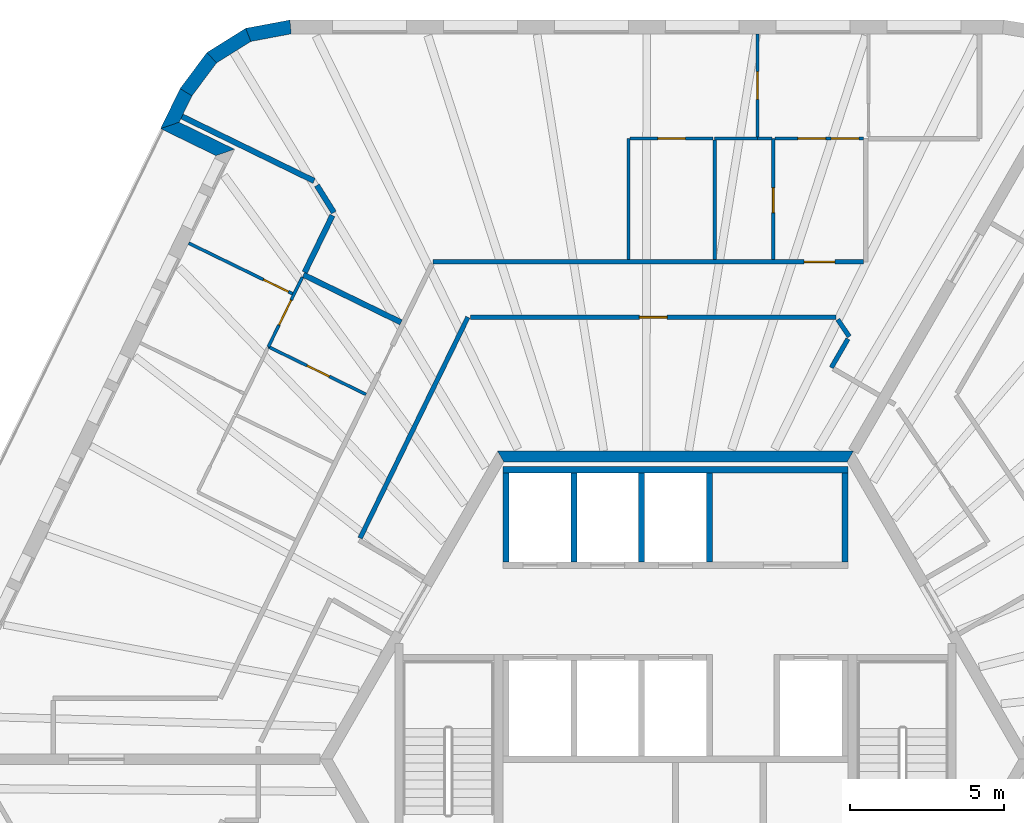
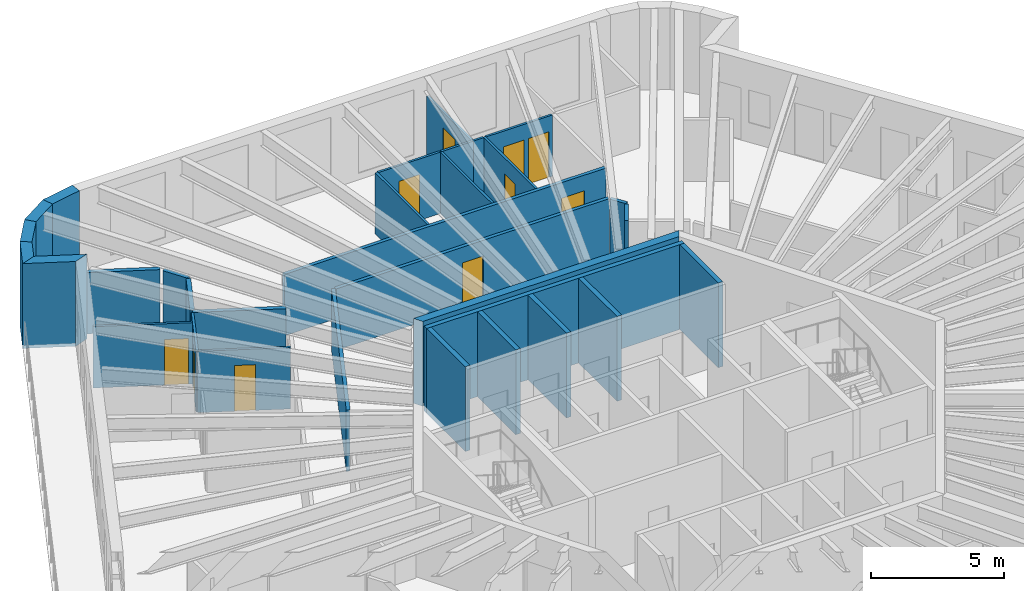
# One storey, part 8 of 11: 32 walls, 10 doors, 10 openings.
"""IFC4 building model written with IfcOpenShell, lengths in metres."""

import ifcopenshell
import ifcopenshell.guid

model = None  # the IFC model being written
_history = None  # IfcOwnerHistory: only IFC2X3 demands one
_inside = {}  # id of a spatial element -> (the spatial element, [elements in it])
_under = {}  # id of a project, library or spatial element -> (it, [spatial elements below it])
_declared = {}  # id of a project -> (the project, [libraries it declares])
_typed = {}  # id of a type object -> (the type object, [elements of that type])
_made_of = {}  # id of a material, layer set ... -> (it, [elements and type objects made of it])


def new_model(schema):
    """Start an empty IFC model of exactly this schema.

    Asked for "IFC4X3", IfcOpenShell would pick the latest addendum, in which some entities
    have other attributes; the version numbers below select the first issue.
    IFC2X3 requires an IfcOwnerHistory on every rooted entity: one is made here for all.
    """
    global model, _history
    if schema == "IFC4X3":
        model = ifcopenshell.file(schema_version=(4, 3, 0, 0))
    else:
        model = ifcopenshell.file(schema=schema)
    _inside.clear()
    _under.clear()
    _declared.clear()
    _typed.clear()
    _made_of.clear()
    _history = None
    if model.schema == "IFC2X3":
        org = make("IfcOrganization", Name="unknown")
        user = make(
            "IfcPersonAndOrganization",
            ThePerson=make("IfcPerson", FamilyName="unknown"),
            TheOrganization=org,
        )
        app = make(
            "IfcApplication",
            ApplicationDeveloper=org,
            Version="unknown",
            ApplicationFullName="unknown",
            ApplicationIdentifier="unknown",
        )
        _history = make(
            "IfcOwnerHistory",
            OwningUser=user,
            OwningApplication=app,
            ChangeAction="ADDED",
            CreationDate=0,
        )
    return model


def make(cls, **values):
    """One entity of the class cls with the attributes given. An attribute that is None is left unset."""
    return model.create_entity(
        cls, **{name: value for name, value in values.items() if value is not None}
    )


def rooted(cls, **values):
    """An entity with a GlobalId (a new one), such as an element, a storey or a relation."""
    return make(cls, GlobalId=ifcopenshell.guid.new(), OwnerHistory=_history, **values)


def si_unit(unit_type, name, prefix=None):
    """IfcSIUnit, for example si_unit("LENGTHUNIT", "METRE", prefix="MILLI")."""
    return make("IfcSIUnit", UnitType=unit_type, Prefix=prefix, Name=name)


def assignment(units):
    """IfcUnitAssignment: the units of a project."""
    return None if units is None else make("IfcUnitAssignment", Units=units)


def point(xyz):
    """IfcCartesianPoint."""
    return None if xyz is None else make("IfcCartesianPoint", Coordinates=xyz)


def direction(xyz):
    """IfcDirection."""
    return None if xyz is None else make("IfcDirection", DirectionRatios=xyz)


def frame(location, z_axis=None, x_axis=None):
    """IfcAxis2Placement3D, a coordinate frame: its origin and axes. An axis left out is left unset."""
    return make(
        "IfcAxis2Placement3D",
        Location=point(location),
        Axis=direction(z_axis),
        RefDirection=direction(x_axis),
    )


def frame_2d(location, x_axis=None):
    """IfcAxis2Placement2D, a coordinate frame in the plane: its origin and x axis."""
    return make(
        "IfcAxis2Placement2D", Location=point(location), RefDirection=direction(x_axis)
    )


def origin():
    """The frame at (0, 0, 0) with its axes left unset."""
    return frame((0.0, 0.0, 0.0))


def place(relative_to, where):
    """IfcLocalPlacement: puts the frame where relative to a parent placement (None: the world)."""
    return make(
        "IfcLocalPlacement", PlacementRelTo=relative_to, RelativePlacement=where
    )


def context(
    kind, dimensions, precision=None, world=None, true_north=None, identifier=None
):
    """IfcGeometricRepresentationContext, for example the 3D "Model" context."""
    return make(
        "IfcGeometricRepresentationContext",
        ContextIdentifier=identifier,
        ContextType=kind,
        CoordinateSpaceDimension=dimensions,
        Precision=precision,
        WorldCoordinateSystem=world,
        TrueNorth=true_north,
    )


def subcontext(parent, identifier, kind, view, scale=None):
    """IfcGeometricRepresentationSubContext, for example "Body" below "Model"."""
    return make(
        "IfcGeometricRepresentationSubContext",
        ContextIdentifier=identifier,
        ContextType=kind,
        ParentContext=parent,
        TargetScale=scale,
        TargetView=view,
    )


def project(units=None, contexts=None):
    """IfcProject with its units and contexts."""
    return rooted(
        "IfcProject",
        Name="project",
        RepresentationContexts=contexts,
        UnitsInContext=assignment(units),
    )


def spatial(cls, under=None, at=None, **own):
    """A site, building, storey or space (cls), placed at a placement, below another one or the project."""
    s = rooted(cls, ObjectPlacement=at, **own)
    if under is not None:
        _under.setdefault(under.id(), (under, []))[1].append(s)
    return s


def polyline(points):
    """IfcPolyline through the points."""
    return make("IfcPolyline", Points=[point(p) for p in points])


def profile(cls, at=None, kind="AREA", **sizes):
    """A parametric profile (cls). Its sizes go by their IFC names, for example OverallWidth=200.0."""
    return make(cls, ProfileType=kind, Position=at, **sizes)


def rectangle(**sizes):
    """IfcRectangleProfileDef."""
    return profile("IfcRectangleProfileDef", **sizes)


def outline(outer, holes=None, kind="AREA"):
    """IfcArbitraryClosedProfileDef: a profile drawn as a closed curve; with holes, ...WithVoids."""
    if holes is None:
        return make("IfcArbitraryClosedProfileDef", ProfileType=kind, OuterCurve=outer)
    return make(
        "IfcArbitraryProfileDefWithVoids",
        ProfileType=kind,
        OuterCurve=outer,
        InnerCurves=holes,
    )


def extrude(swept, where, along, depth):
    """IfcExtrudedAreaSolid: the profile swept, set in the frame where, extruded along a direction by depth."""
    return make(
        "IfcExtrudedAreaSolid",
        SweptArea=swept,
        Position=where,
        ExtrudedDirection=direction(along),
        Depth=depth,
    )


def shape(context_of_items, identifier, shape_type, items):
    """IfcShapeRepresentation: the items that make up one representation, for example the "Body"."""
    return make(
        "IfcShapeRepresentation",
        ContextOfItems=context_of_items,
        RepresentationIdentifier=identifier,
        RepresentationType=shape_type,
        Items=items,
    )


def material(Name=None, Category=None):
    """IfcMaterial."""
    return make("IfcMaterial", Name=Name, Category=Category)


def layer(
    of_material, thickness, ventilated=None, Name=None, Category=None, Priority=None
):
    """IfcMaterialLayer: one layer of a wall or slab, of a material (None: an air gap)."""
    return make(
        "IfcMaterialLayer",
        Material=of_material,
        LayerThickness=thickness,
        IsVentilated=ventilated,
        Name=Name,
        Category=Category,
        Priority=Priority,
    )


def layer_set(layers, Name=None):
    """IfcMaterialLayerSet."""
    return make("IfcMaterialLayerSet", MaterialLayers=layers, LayerSetName=Name)


def made_of(thing, what):
    """Note that an element or type object is made of a material, layer set ...; save() writes the relation."""
    if what is not None:
        _made_of.setdefault(what.id(), (what, []))[1].append(thing)
    return thing


def type_object(cls, material=None, **own):
    """A type object (cls), such as IfcWallType, which elements share."""
    return made_of(rooted(cls, **own), material)


def element(
    cls,
    number,
    at=None,
    inside=None,
    cuts=None,
    type_object=None,
    material=None,
    context=None,
    identifier="Body",
    shape_type=None,
    held_by="IfcProductDefinitionShape",
    body=None,
    shapes=None,
    **own,
):
    """One element of the class cls, such as IfcWall. Its Tag is "e" and its number.

    at: its placement. inside: the storey or other place that contains it. cuts: it is an
    opening in that element (IfcRelVoidsElement). A single representation is given by context,
    identifier, shape_type and body (its items); several are given by shapes. held_by: the class
    of the entity that holds the representations. save() writes the other relations.
    """
    e = rooted(cls, Tag="e%d" % number, ObjectPlacement=at, **own)
    if body is not None:
        shapes = [shape(context, identifier, shape_type, body)]
    if shapes is not None:
        e.Representation = make(held_by, Representations=shapes)
    if inside is not None:
        _inside.setdefault(inside.id(), (inside, []))[1].append(e)
    if cuts is not None:
        rooted(
            "IfcRelVoidsElement", RelatingBuildingElement=cuts, RelatedOpeningElement=e
        )
    if type_object is not None:
        _typed.setdefault(type_object.id(), (type_object, []))[1].append(e)
    return made_of(e, material)


def fill(opening, filler):
    """IfcRelFillsElement: the door or window that sits in an opening."""
    return rooted(
        "IfcRelFillsElement",
        RelatingOpeningElement=opening,
        RelatedBuildingElement=filler,
    )


def aggregate(whole, parts):
    """IfcRelAggregates: a whole, such as a stair, and the parts it consists of."""
    return rooted("IfcRelAggregates", RelatingObject=whole, RelatedObjects=parts)


def save(model, path):
    """Write the relations noted so far, then the file.

    IfcRelAggregates (storeys below a building ...), IfcRelContainedInSpatialStructure (elements
    in a storey), IfcRelDefinesByType, IfcRelAssociatesMaterial and IfcRelDeclares: one each for
    every whole, place, type object, material and project.
    """
    for whole, parts in _under.values():
        aggregate(whole, parts)
    for where, things in _inside.values():
        rooted(
            "IfcRelContainedInSpatialStructure",
            RelatedElements=things,
            RelatingStructure=where,
        )
    for kind, things in _typed.values():
        rooted("IfcRelDefinesByType", RelatedObjects=things, RelatingType=kind)
    for what, things in _made_of.values():
        rooted("IfcRelAssociatesMaterial", RelatedObjects=things, RelatingMaterial=what)
    for by, libraries in _declared.values():
        rooted("IfcRelDeclares", RelatingContext=by, RelatedDefinitions=libraries)
    model.write(path)


model = new_model("IFC4")

# Units and contexts
model_context = context("Model", 3, precision=1e-05, world=origin(), true_north=direction((0.0, 1.0)))
body_context = subcontext(model_context, "Body", "Model", "MODEL_VIEW")
ifc_project = project(units=[si_unit("LENGTHUNIT", "METRE"), si_unit("AREAUNIT", "SQUARE_METRE"), si_unit("VOLUMEUNIT", "CUBIC_METRE"), si_unit("PLANEANGLEUNIT", "RADIAN"), si_unit("MASSUNIT", "GRAM", prefix="KILO")], contexts=[model_context])

# Site, building, storey
site_placement = place(None, origin())
site = spatial("IfcSite", under=ifc_project, at=site_placement, CompositionType="ELEMENT")
building_placement = place(site_placement, origin())
building = spatial("IfcBuilding", under=site, at=building_placement, Name="Tarnside Tower", CompositionType="ELEMENT")
storey_placement = place(building_placement, frame((0.0, 0.0, 353.39990234375)))
storey = spatial("IfcBuildingStorey", under=building, at=storey_placement, Name="L85", CompositionType="ELEMENT", Elevation=353.39990234375)

# Wall
ifc_material_1 = material(Name="Gypsum board partition on steel studs", Category="steel")
ifc_layer_1 = layer(ifc_material_1, 0.10009765625)
ifc_layer_set_1 = layer_set([ifc_layer_1], Name="Bathroom wall 100")
wall_type_1 = type_object("IfcWallType", Name="Bathroom wall 100", PredefinedType="PARTITIONING", material=ifc_layer_set_1)
wall_1_placement = place(storey_placement, frame((1.274658203125, 20.14990234375, 0.0), z_axis=(0.0, 0.0, 1.0), x_axis=(1.0, 0.0, 0.0)))
element("IfcWall", 1, at=wall_1_placement, inside=storey, type_object=wall_type_1, Name="Bathroom wall 27070", PredefinedType="PARTITIONING", context=body_context, shape_type="SweptSolid", body=[
    extrude(rectangle(XDim=1.395751953125, YDim=0.10009765625, at=frame_2d((0.69775390625, 0.0))), origin(), (0.0, 0.0, 1.0), 2.820068359375),
])

# Wall, opening, door
wall_2_placement = place(storey_placement, frame((3.174560546875, 20.14990234375, 0.0), z_axis=(0.0, 0.0, 1.0), x_axis=(0.0, -1.0, 0.0)))
wall_2 = element("IfcWall", 2, at=wall_2_placement, inside=storey, type_object=wall_type_1, Name="Bathroom wall 27078", PredefinedType="PARTITIONING", context=body_context, shape_type="SweptSolid", body=[
    extrude(rectangle(XDim=3.9248046875, YDim=0.10009765625, at=frame_2d((1.96240234375, 0.0))), origin(), (0.0, 0.0, 1.0), 2.820068359375),
])
opening_1_placement = place(wall_2_placement, frame((1.60009765625, 0.0, 0.0)))
opening_1 = element("IfcOpeningElement", 3, at=opening_1_placement, cuts=wall_2, Name="Opening D-B1", PredefinedType="OPENING", context=body_context, shape_type="SweptSolid", body=[
    extrude(rectangle(XDim=0.800048828125, YDim=2.10009765625, at=frame_2d((0.39990234375, 1.050048828125))), frame((0.0, 0.06005859375, 0.0), z_axis=(0.0, -1.0, 0.0), x_axis=(1.0, 0.0, 0.0)), (0.0, 0.0, 1.0), 0.1201171875),
])
ifc_material_2 = material(Name="Timber door leaf", Category="wood")
door_type_1 = type_object("IfcDoorType", Name="Bathroom door 800", OperationType="NOTDEFINED", PredefinedType="DOOR", material=ifc_material_2)
door_1_placement = place(opening_1_placement, origin())
door_1 = element("IfcDoor", 4, at=door_1_placement, inside=storey, type_object=door_type_1, Name="Bathroom door 27002", OperationType="SINGLE_SWING_LEFT", OverallHeight=2.10009765625, OverallWidth=0.800048828125, PredefinedType="DOOR", context=body_context, shape_type="SweptSolid", body=[
    extrude(rectangle(XDim=0.800048828125, YDim=2.10009765625, at=frame_2d((0.39990234375, 1.050048828125))), frame((0.0, 0.02490234375, 0.0), z_axis=(0.0, -1.0, 0.0), x_axis=(1.0, 0.0, 0.0)), (0.0, 0.0, 1.0), 0.050048828125),
])
fill(opening_1, door_1)

# Walls
wall_3_placement = place(storey_placement, frame((3.126708984375, 20.14990234375, 0.0), z_axis=(0.0, 0.0, 1.0), x_axis=(-1.0, 0.0, 0.0)))
element("IfcWall", 5, at=wall_3_placement, inside=storey, type_object=wall_type_1, Name="Bathroom wall 27080", PredefinedType="PARTITIONING", context=body_context, shape_type="SweptSolid", body=[
    extrude(rectangle(XDim=0.458251953125, YDim=0.10009765625, at=frame_2d((0.22900390625, 0.0))), origin(), (0.0, 0.0, 1.0), 2.820068359375),
])
wall_4_placement = place(storey_placement, frame((1.274658203125, 20.10009765625, 0.0), z_axis=(0.0, 0.0, 1.0), x_axis=(0.0, -1.0, 0.0)))
element("IfcWall", 6, at=wall_4_placement, inside=storey, type_object=wall_type_1, Name="Bathroom wall 27081", PredefinedType="PARTITIONING", context=body_context, shape_type="SweptSolid", body=[
    extrude(rectangle(XDim=3.875, YDim=0.10009765625, at=frame_2d((1.9375, 0.0))), origin(), (0.0, 0.0, 1.0), 2.820068359375),
])

# Wall, opening, door
wall_5_placement = place(storey_placement, frame((-13.21728515625, 13.391357421875, 0.0), z_axis=(0.0, 0.0, 1.0), x_axis=(0.898775101867, -0.438409986501, 0.0)))
wall_5 = element("IfcWall", 7, at=wall_5_placement, inside=storey, type_object=wall_type_1, Name="Bathroom wall 27087", PredefinedType="PARTITIONING", context=body_context, shape_type="SweptSolid", body=[
    extrude(rectangle(XDim=3.525146484375, YDim=0.10009765625, at=frame_2d((1.7626953125, 0.0))), origin(), (0.0, 0.0, 1.0), 2.820068359375),
])
opening_2_placement = place(wall_5_placement, frame((1.39990234375, 0.0, 0.0)))
opening_2 = element("IfcOpeningElement", 8, at=opening_2_placement, cuts=wall_5, Name="Opening D-B1", PredefinedType="OPENING", context=body_context, shape_type="SweptSolid", body=[
    extrude(rectangle(XDim=0.800048828125, YDim=2.10009765625, at=frame_2d((0.39990234375, 1.050048828125))), frame((0.0, 0.06005859375, 0.0), z_axis=(0.0, -1.0, 0.0), x_axis=(1.0, 0.0, 0.0)), (0.0, 0.0, 1.0), 0.1201171875),
])
door_2_placement = place(opening_2_placement, origin())
door_2 = element("IfcDoor", 9, at=door_2_placement, inside=storey, type_object=door_type_1, Name="Bathroom door 27012", OperationType="SINGLE_SWING_LEFT", OverallHeight=2.10009765625, OverallWidth=0.800048828125, PredefinedType="DOOR", context=body_context, shape_type="SweptSolid", body=[
    extrude(rectangle(XDim=0.800048828125, YDim=2.10009765625, at=frame_2d((0.39990234375, 1.050048828125))), frame((0.0, 0.02490234375, 0.0), z_axis=(0.0, -1.0, 0.0), x_axis=(1.0, 0.0, 0.0)), (0.0, 0.0, 1.0), 0.050048828125),
])
fill(opening_2, door_2)

# Wall
ifc_material_3 = material(Name="Concrete C50/60", Category="concrete")
ifc_layer_2 = layer(ifc_material_3, 0.35009765625)
ifc_layer_set_2 = layer_set([ifc_layer_2], Name="Core wall Z4 350 C50/60")
wall_type_2 = type_object("IfcWallType", Name="Core wall Z4 350 C50/60", PredefinedType="SHEAR", material=ifc_layer_set_2)
wall_6_placement = place(storey_placement, frame((5.672607421875, 9.824951171875, -0.14990234375), z_axis=(0.0, 0.0, 1.0), x_axis=(-1.0, 0.0, 0.0)))
element("IfcWall", 10, at=wall_6_placement, inside=storey, type_object=wall_type_2, Name="L85 core wall face 1", PredefinedType="SHEAR", context=body_context, shape_type="SweptSolid", body=[
    extrude(outline(polyline([(-0.10107421875, -0.175048828125), (11.4462890625, -0.175048828125), (11.244140625, 0.175048828125), (0.10107421875, 0.175048828125), (-0.10107421875, -0.175048828125)])), origin(), (0.0, 0.0, 1.0), 3.89990234375),
])

# Wall, opening, door
ifc_layer_3 = layer(ifc_material_1, 0.14990234375)
ifc_layer_set_3 = layer_set([ifc_layer_3], Name="Corridor wall 150 EI 60")
wall_type_3 = type_object("IfcWallType", Name="Corridor wall 150 EI 60", PredefinedType="PARTITIONING", material=ifc_layer_set_3)
wall_7_placement = place(storey_placement, frame((6.099609375, 16.14990234375, 0.0), z_axis=(0.0, 0.0, 1.0), x_axis=(-1.0, 0.0, 0.0)))
wall_7 = element("IfcWall", 11, at=wall_7_placement, inside=storey, type_object=wall_type_3, Name="Corridor wall 27001", PredefinedType="PARTITIONING", context=body_context, shape_type="SweptSolid", body=[
    extrude(rectangle(XDim=13.966064453125, YDim=0.14990234375, at=frame_2d((6.98291015625, 0.0))), origin(), (0.0, 0.0, 1.0), 2.820068359375),
])
opening_3_placement = place(wall_7_placement, frame((0.925048828125, 0.0, 0.0)))
opening_3 = element("IfcOpeningElement", 12, at=opening_3_placement, cuts=wall_7, Name="Opening D-E1", PredefinedType="OPENING", context=body_context, shape_type="SweptSolid", body=[
    extrude(rectangle(XDim=1.0, YDim=2.10009765625, at=frame_2d((0.5, 1.050048828125))), frame((0.0, 0.0849609375, 0.0), z_axis=(0.0, -1.0, 0.0), x_axis=(1.0, 0.0, 0.0)), (0.0, 0.0, 1.0), 0.169921875),
])
door_type_2 = type_object("IfcDoorType", Name="Unit entrance door 1000 FD30S", OperationType="NOTDEFINED", PredefinedType="DOOR", material=ifc_material_2)
door_3_placement = place(opening_3_placement, origin())
door_3 = element("IfcDoor", 13, at=door_3_placement, inside=storey, type_object=door_type_2, Name="Unit door 27001", OperationType="SINGLE_SWING_RIGHT", OverallHeight=2.10009765625, OverallWidth=1.0, PredefinedType="DOOR", context=body_context, shape_type="SweptSolid", body=[
    extrude(rectangle(XDim=1.0, YDim=2.10009765625, at=frame_2d((0.5, 1.050048828125))), frame((0.0, 0.02490234375, 0.0), z_axis=(0.0, -1.0, 0.0), x_axis=(1.0, 0.0, 0.0)), (0.0, 0.0, 1.0), 0.050048828125),
])
fill(opening_3, door_3)

# Wall
wall_8_placement = place(storey_placement, frame((-10.23974609375, 7.177734375, 0.0), z_axis=(0.0, 0.0, 1.0), x_axis=(0.438356120288, 0.898801375058, 0.0)))
element("IfcWall", 14, at=wall_8_placement, inside=storey, type_object=wall_type_3, Name="Corridor wall 27019", PredefinedType="PARTITIONING", context=body_context, shape_type="SweptSolid", body=[
    extrude(rectangle(XDim=7.97998046875, YDim=0.14990234375, at=frame_2d((3.989990234375, 0.0))), origin(), (0.0, 0.0, 1.0), 2.820068359375),
])

# Wall, opening, door
wall_9_placement = place(storey_placement, frame((-6.658203125, 14.35009765625, 0.0), z_axis=(0.0, 0.0, 1.0), x_axis=(1.0, 0.0, 0.0)))
wall_9 = element("IfcWall", 15, at=wall_9_placement, inside=storey, type_object=wall_type_3, Name="Corridor wall 27020", PredefinedType="PARTITIONING", context=body_context, shape_type="SweptSolid", body=[
    extrude(rectangle(XDim=11.875732421875, YDim=0.14990234375, at=frame_2d((5.93798828125, 0.0))), origin(), (0.0, 0.0, 1.0), 2.820068359375),
])
opening_4_placement = place(wall_9_placement, frame((5.48779296875, 0.0, 0.0)))
opening_4 = element("IfcOpeningElement", 16, at=opening_4_placement, cuts=wall_9, Name="Opening D-S1", PredefinedType="OPENING", context=body_context, shape_type="SweptSolid", body=[
    extrude(rectangle(XDim=0.89990234375, YDim=2.10009765625, at=frame_2d((0.449951171875, 1.050048828125))), frame((0.0, 0.0849609375, 0.0), z_axis=(0.0, -1.0, 0.0), x_axis=(1.0, 0.0, 0.0)), (0.0, 0.0, 1.0), 0.169921875),
])
door_type_3 = type_object("IfcDoorType", Name="Service room door 900 FD30S", OperationType="NOTDEFINED", PredefinedType="DOOR", material=ifc_material_2)
door_4_placement = place(opening_4_placement, origin())
door_4 = element("IfcDoor", 17, at=door_4_placement, inside=storey, type_object=door_type_3, Name="Service door 27060", OperationType="SINGLE_SWING_RIGHT", OverallHeight=2.10009765625, OverallWidth=0.89990234375, PredefinedType="DOOR", context=body_context, shape_type="SweptSolid", body=[
    extrude(rectangle(XDim=0.89990234375, YDim=2.10009765625, at=frame_2d((0.449951171875, 1.050048828125))), frame((0.0, 0.02490234375, 0.0), z_axis=(0.0, -1.0, 0.0), x_axis=(1.0, 0.0, 0.0)), (0.0, 0.0, 1.0), 0.050048828125),
])
fill(opening_4, door_4)

# Walls
wall_10_placement = place(storey_placement, frame((5.26806640625, 14.27490234375, 0.0), z_axis=(0.0, 0.0, 1.0), x_axis=(0.559416337009, -0.828886820915, 0.0)))
element("IfcWall", 18, at=wall_10_placement, inside=storey, type_object=wall_type_3, Name="Corridor wall 27021", PredefinedType="PARTITIONING", context=body_context, shape_type="SweptSolid", body=[
    extrude(rectangle(XDim=0.667724609375, YDim=0.14990234375, at=frame_2d((0.333984375, 0.0))), origin(), (0.0, 0.0, 1.0), 2.820068359375),
])
wall_11_placement = place(storey_placement, frame((5.599853515625, 13.649169921875, 0.0), z_axis=(0.0, 0.0, 1.0), x_axis=(-0.500126914667, -0.865952117167, 0.0)))
element("IfcWall", 19, at=wall_11_placement, inside=storey, type_object=wall_type_3, Name="Corridor wall 27022", PredefinedType="PARTITIONING", context=body_context, shape_type="SweptSolid", body=[
    extrude(rectangle(XDim=1.079833984375, YDim=0.14990234375, at=frame_2d((0.5400390625, 0.0))), origin(), (0.0, 0.0, 1.0), 2.820068359375),
])
ifc_layer_4 = layer(ifc_material_1, 0.179931640625)
ifc_layer_set_4 = layer_set([ifc_layer_4], Name="Demising wall 180 EI 60")
wall_type_4 = type_object("IfcWallType", Name="Demising wall 180 EI 60", PredefinedType="PARTITIONING", material=ifc_layer_set_4)
wall_12_placement = place(storey_placement, frame((-12.07763671875, 15.72802734375, 0.0), z_axis=(0.0, 0.0, 1.0), x_axis=(0.898802391248, -0.438354036696, 0.0)))
element("IfcWall", 20, at=wall_12_placement, inside=storey, type_object=wall_type_4, Name="Demising wall 27074", PredefinedType="PARTITIONING", context=body_context, shape_type="SweptSolid", body=[
    extrude(rectangle(XDim=3.52490234375, YDim=0.179931640625, at=frame_2d((1.762451171875, 0.0))), origin(), (0.0, 0.0, 1.0), 2.820068359375),
])
wall_13_placement = place(storey_placement, frame((-16.02392578125, 20.867919921875, 0.0), z_axis=(0.0, 0.0, 1.0), x_axis=(0.898790554329, -0.438378306317, 0.0)))
element("IfcWall", 21, at=wall_13_placement, inside=storey, type_object=wall_type_4, Name="Demising wall 27075", PredefinedType="PARTITIONING", context=body_context, shape_type="SweptSolid", body=[
    extrude(rectangle(XDim=4.775634765625, YDim=0.179931640625, at=frame_2d((2.3876953125, 0.0))), origin(), (0.0, 0.0, 1.0), 2.820068359375),
])
wall_14_placement = place(storey_placement, frame((-11.6416015625, 18.63037109375, 0.0), z_axis=(0.0, 0.0, 1.0), x_axis=(0.530041214548, -0.847971880949, 0.0)))
element("IfcWall", 22, at=wall_14_placement, inside=storey, type_object=wall_type_4, Name="Demising wall 27076", PredefinedType="PARTITIONING", context=body_context, shape_type="SweptSolid", body=[
    extrude(rectangle(XDim=1.0380859375, YDim=0.179931640625, at=frame_2d((0.51904296875, 0.0))), origin(), (0.0, 0.0, 1.0), 2.820068359375),
])
wall_15_placement = place(storey_placement, frame((-11.137939453125, 17.654541015625, 0.0), z_axis=(0.0, 0.0, 1.0), x_axis=(-0.438409602339, -0.898775289256, 0.0)))
element("IfcWall", 23, at=wall_15_placement, inside=storey, type_object=wall_type_4, Name="Demising wall 27077", PredefinedType="PARTITIONING", context=body_context, shape_type="SweptSolid", body=[
    extrude(rectangle(XDim=2.05712890625, YDim=0.179931640625, at=frame_2d((1.028564453125, 0.0))), origin(), (0.0, 0.0, 1.0), 2.820068359375),
])
ifc_material_4 = material(Name="Concrete C40/50", Category="concrete")
ifc_layer_5 = layer(ifc_material_4, 0.199951171875)
ifc_layer_set_5 = layer_set([ifc_layer_5], Name="Lift shaft wall 200 C40/50")
wall_type_5 = type_object("IfcWallType", Name="Lift shaft wall 200 C40/50", PredefinedType="SHEAR", material=ifc_layer_set_5)
wall_16_placement = place(storey_placement, frame((-5.60009765625, 9.39990234375, -0.25), z_axis=(0.0, 0.0, 1.0), x_axis=(1.0, 0.0, 0.0)))
element("IfcWall", 24, at=wall_16_placement, inside=storey, type_object=wall_type_5, Name="L85 lift shaft back wall R1", PredefinedType="SHEAR", context=body_context, shape_type="SweptSolid", body=[
    extrude(rectangle(XDim=11.2001953125, YDim=0.199951171875, at=frame_2d((5.60009765625, 0.0))), origin(), (0.0, 0.0, 1.0), 3.900146484375),
])
for number, where, z_axis, x_axis, name in (
    (25, (-5.5, 6.39990234375, -0.25), (0.0, 0.0, 1.0), (0.0, 1.0, 0.0), "L85 lift shaft partition R11"),
    (26, (-3.300048828125, 6.39990234375, -0.25), (0.0, 0.0, 1.0), (0.0, 1.0, 0.0), "L85 lift shaft partition R12"),
    (27, (-1.10009765625, 6.39990234375, -0.25), (0.0, 0.0, 1.0), (0.0, 1.0, 0.0), "L85 lift shaft partition R13"),
    (28, (1.10009765625, 6.39990234375, -0.25), (0.0, 0.0, 1.0), (0.0, 1.0, 0.0), "L85 lift shaft partition R14"),
    (29, (5.5, 6.39990234375, -0.25), (0.0, 0.0, 1.0), (0.0, 1.0, 0.0), "L85 lift shaft partition R16"),
):
    element("IfcWall", number, at=place(storey_placement, frame(where, z_axis=z_axis, x_axis=x_axis)), inside=storey, type_object=wall_type_5, Name=name, PredefinedType="SHEAR", context=body_context, shape_type="SweptSolid", body=[
        extrude(rectangle(XDim=2.900146484375, YDim=0.199951171875, at=frame_2d((1.4501953125, 0.0))), origin(), (0.0, 0.0, 1.0), 3.900146484375),
    ])
ifc_material_5 = material(Name="Dark zinc cladding")
ifc_layer_6 = layer(ifc_material_5, 0.10205078125)
ifc_material_6 = material(Name="Concrete C60/75 precast", Category="concrete")
ifc_layer_7 = layer(ifc_material_6, 0.248046875)
ifc_material_7 = material(Name="Mineral wool insulation")
ifc_layer_8 = layer(ifc_material_7, 0.10009765625)
ifc_layer_set_6 = layer_set([ifc_layer_6, ifc_layer_7, ifc_layer_8], Name="Loggia wall 450 zinc faced")
wall_type_6 = type_object("IfcWallType", Name="Loggia wall 450 zinc faced", PredefinedType="SOLIDWALL", material=ifc_layer_set_6)
wall_17_placement = place(storey_placement, frame((-15.890380859375, 21.65478515625, -0.14990234375), z_axis=(0.0, 0.0, 1.0), x_axis=(-0.438319390103, -0.898819287877, 0.0)))
element("IfcWall", 30, at=wall_17_placement, inside=storey, type_object=wall_type_6, Name="Tube wall L85 F2 stub 04", PredefinedType="SOLIDWALL", context=body_context, shape_type="SweptSolid", body=[
    extrude(outline(polyline([(-0.02099609375, -0.22509765625), (1.4248046875, -0.22509765625), (0.974609375, 0.22509765625), (0.02099609375, 0.22509765625), (-0.02099609375, -0.22509765625)])), origin(), (0.0, 0.0, 1.0), 3.89990234375),
])
wall_18_placement = place(storey_placement, frame((-16.416259765625, 20.576416015625, -0.14990234375), z_axis=(0.0, 0.0, 1.0), x_axis=(0.898730898244, -0.438500595829, 0.0)))
element("IfcWall", 31, at=wall_18_placement, inside=storey, type_object=wall_type_6, Name="Tube wall L85 F2 return 05", PredefinedType="SOLIDWALL", context=body_context, shape_type="SweptSolid", body=[
    extrude(outline(polyline([(-0.224853515625, -0.22509765625), (1.77490234375, -0.22509765625), (2.22509765625, 0.22509765625), (0.224853515625, 0.22509765625), (-0.224853515625, -0.22509765625)])), origin(), (0.0, 0.0, 1.0), 3.89990234375),
])

# Wall, opening, door
ifc_layer_9 = layer(ifc_material_1, 0.10009765625)
ifc_layer_set_7 = layer_set([ifc_layer_9], Name="Partition 100")
wall_type_7 = type_object("IfcWallType", Name="Partition 100", PredefinedType="PARTITIONING", material=ifc_layer_set_7)
wall_19_placement = place(storey_placement, frame((2.66845703125, 20.199951171875, 0.0), z_axis=(0.0, 0.0, 1.0), x_axis=(0.0, 1.0, 0.0)))
wall_19 = element("IfcWall", 32, at=wall_19_placement, inside=storey, type_object=wall_type_7, Name="Partition wall 27071", PredefinedType="PARTITIONING", context=body_context, shape_type="SweptSolid", body=[
    extrude(rectangle(XDim=3.35009765625, YDim=0.10009765625, at=frame_2d((1.675048828125, 0.0))), origin(), (0.0, 0.0, 1.0), 2.820068359375),
])
opening_5_placement = place(wall_19_placement, frame((1.22509765625, 0.0, 0.0)))
opening_5 = element("IfcOpeningElement", 33, at=opening_5_placement, cuts=wall_19, Name="Opening D-I1", PredefinedType="OPENING", context=body_context, shape_type="SweptSolid", body=[
    extrude(rectangle(XDim=0.89990234375, YDim=2.10009765625, at=frame_2d((0.449951171875, 1.050048828125))), frame((0.0, 0.06005859375, 0.0), z_axis=(0.0, -1.0, 0.0), x_axis=(1.0, 0.0, 0.0)), (0.0, 0.0, 1.0), 0.1201171875),
])
door_type_4 = type_object("IfcDoorType", Name="Internal door 900", OperationType="NOTDEFINED", PredefinedType="DOOR", material=ifc_material_2)
door_5_placement = place(opening_5_placement, origin())
door_5 = element("IfcDoor", 34, at=door_5_placement, inside=storey, type_object=door_type_4, Name="Internal door 27057", OperationType="SINGLE_SWING_LEFT", OverallHeight=2.10009765625, OverallWidth=0.89990234375, PredefinedType="DOOR", context=body_context, shape_type="SweptSolid", body=[
    extrude(rectangle(XDim=0.89990234375, YDim=2.10009765625, at=frame_2d((0.449951171875, 1.050048828125))), frame((0.0, 0.02490234375, 0.0), z_axis=(0.0, -1.0, 0.0), x_axis=(1.0, 0.0, 0.0)), (0.0, 0.0, 1.0), 0.050048828125),
])
fill(opening_5, door_5)

# Wall
wall_20_placement = place(storey_placement, frame((-1.525390625, 16.22509765625, 0.0), z_axis=(0.0, 0.0, 1.0), x_axis=(0.0, 1.0, 0.0)))
element("IfcWall", 35, at=wall_20_placement, inside=storey, type_object=wall_type_7, Name="Partition wall 27072", PredefinedType="PARTITIONING", context=body_context, shape_type="SweptSolid", body=[
    extrude(rectangle(XDim=3.9248046875, YDim=0.10009765625, at=frame_2d((1.96240234375, 0.0))), origin(), (0.0, 0.0, 1.0), 2.820068359375),
])

# Wall, opening, door
wall_21_placement = place(storey_placement, frame((-1.475341796875, 20.14990234375, 0.0), z_axis=(0.0, 0.0, 1.0), x_axis=(1.0, 0.0, 0.0)))
wall_21 = element("IfcWall", 36, at=wall_21_placement, inside=storey, type_object=wall_type_7, Name="Partition wall 27073", PredefinedType="PARTITIONING", context=body_context, shape_type="SweptSolid", body=[
    extrude(rectangle(XDim=2.699951171875, YDim=0.10009765625, at=frame_2d((1.35009765625, 0.0))), origin(), (0.0, 0.0, 1.0), 2.820068359375),
])
opening_6_placement = place(wall_21_placement, frame((0.89990234375, 0.0, 0.0)))
opening_6 = element("IfcOpeningElement", 37, at=opening_6_placement, cuts=wall_21, Name="Opening D-I1", PredefinedType="OPENING", context=body_context, shape_type="SweptSolid", body=[
    extrude(rectangle(XDim=0.89990234375, YDim=2.10009765625, at=frame_2d((0.449951171875, 1.050048828125))), frame((0.0, 0.06005859375, 0.0), z_axis=(0.0, -1.0, 0.0), x_axis=(1.0, 0.0, 0.0)), (0.0, 0.0, 1.0), 0.1201171875),
])
door_6_placement = place(opening_6_placement, origin())
door_6 = element("IfcDoor", 38, at=door_6_placement, inside=storey, type_object=door_type_4, Name="Internal door 27010", OperationType="SINGLE_SWING_LEFT", OverallHeight=2.10009765625, OverallWidth=0.89990234375, PredefinedType="DOOR", context=body_context, shape_type="SweptSolid", body=[
    extrude(rectangle(XDim=0.89990234375, YDim=2.10009765625, at=frame_2d((0.449951171875, 1.050048828125))), frame((0.0, 0.02490234375, 0.0), z_axis=(0.0, -1.0, 0.0), x_axis=(1.0, 0.0, 0.0)), (0.0, 0.0, 1.0), 0.050048828125),
])
fill(opening_6, door_6)

# Wall, openings, doors
wall_22_placement = place(storey_placement, frame((6.1015625, 20.14990234375, 0.0), z_axis=(0.0, 0.0, 1.0), x_axis=(-1.0, 0.0, 0.0)))
wall_22 = element("IfcWall", 39, at=wall_22_placement, inside=storey, type_object=wall_type_7, Name="Partition wall 27079", PredefinedType="PARTITIONING", context=body_context, shape_type="SweptSolid", body=[
    extrude(rectangle(XDim=2.87890625, YDim=0.10009765625, at=frame_2d((1.439453125, 0.0))), origin(), (0.0, 0.0, 1.0), 2.820068359375),
])
opening_7_placement = place(wall_22_placement, frame((0.14990234375, 0.0, 0.0)))
opening_7 = element("IfcOpeningElement", 40, at=opening_7_placement, cuts=wall_22, Name="Opening D-I1", PredefinedType="OPENING", context=body_context, shape_type="SweptSolid", body=[
    extrude(rectangle(XDim=0.89990234375, YDim=2.10009765625, at=frame_2d((0.449951171875, 1.050048828125))), frame((0.0, 0.06005859375, 0.0), z_axis=(0.0, -1.0, 0.0), x_axis=(1.0, 0.0, 0.0)), (0.0, 0.0, 1.0), 0.1201171875),
])
opening_8_placement = place(wall_22_placement, frame((1.22705078125, 0.0, 0.0)))
opening_8 = element("IfcOpeningElement", 41, at=opening_8_placement, cuts=wall_22, Name="Opening D-I1", PredefinedType="OPENING", context=body_context, shape_type="SweptSolid", body=[
    extrude(rectangle(XDim=0.89990234375, YDim=2.10009765625, at=frame_2d((0.449951171875, 1.050048828125))), frame((0.0, 0.06005859375, 0.0), z_axis=(0.0, -1.0, 0.0), x_axis=(1.0, 0.0, 0.0)), (0.0, 0.0, 1.0), 0.1201171875),
])
door_7_placement = place(opening_7_placement, origin())
door_7 = element("IfcDoor", 42, at=door_7_placement, inside=storey, type_object=door_type_4, Name="Internal door 27005", OperationType="SINGLE_SWING_LEFT", OverallHeight=2.10009765625, OverallWidth=0.89990234375, PredefinedType="DOOR", context=body_context, shape_type="SweptSolid", body=[
    extrude(rectangle(XDim=0.89990234375, YDim=2.10009765625, at=frame_2d((0.449951171875, 1.050048828125))), frame((0.0, 0.02490234375, 0.0), z_axis=(0.0, -1.0, 0.0), x_axis=(1.0, 0.0, 0.0)), (0.0, 0.0, 1.0), 0.050048828125),
])
fill(opening_7, door_7)
door_8_placement = place(opening_8_placement, origin())
door_8 = element("IfcDoor", 43, at=door_8_placement, inside=storey, type_object=door_type_4, Name="Internal door 27009", OperationType="SINGLE_SWING_LEFT", OverallHeight=2.10009765625, OverallWidth=0.89990234375, PredefinedType="DOOR", context=body_context, shape_type="SweptSolid", body=[
    extrude(rectangle(XDim=0.89990234375, YDim=2.10009765625, at=frame_2d((0.449951171875, 1.050048828125))), frame((0.0, 0.02490234375, 0.0), z_axis=(0.0, -1.0, 0.0), x_axis=(1.0, 0.0, 0.0)), (0.0, 0.0, 1.0), 0.050048828125),
])
fill(opening_8, door_8)

# Wall, opening, door
wall_23_placement = place(storey_placement, frame((-12.1162109375, 15.649169921875, 0.0), z_axis=(0.0, 0.0, 1.0), x_axis=(-0.438335623405, -0.898811371342, 0.0)))
wall_23 = element("IfcWall", 44, at=wall_23_placement, inside=storey, type_object=wall_type_7, Name="Partition wall 27088", PredefinedType="PARTITIONING", context=body_context, shape_type="SweptSolid", body=[
    extrude(rectangle(XDim=2.51416015625, YDim=0.10009765625, at=frame_2d((1.257080078125, 0.0))), origin(), (0.0, 0.0, 1.0), 2.820068359375),
])
opening_9_placement = place(wall_23_placement, frame((0.822265625, 0.0, 0.0)))
opening_9 = element("IfcOpeningElement", 45, at=opening_9_placement, cuts=wall_23, Name="Opening D-I1", PredefinedType="OPENING", context=body_context, shape_type="SweptSolid", body=[
    extrude(rectangle(XDim=0.89990234375, YDim=2.10009765625, at=frame_2d((0.449951171875, 1.050048828125))), frame((0.0, 0.06005859375, 0.0), z_axis=(0.0, -1.0, 0.0), x_axis=(1.0, 0.0, 0.0)), (0.0, 0.0, 1.0), 0.1201171875),
])
door_9_placement = place(opening_9_placement, origin())
door_9 = element("IfcDoor", 46, at=door_9_placement, inside=storey, type_object=door_type_4, Name="Internal door 27015", OperationType="SINGLE_SWING_LEFT", OverallHeight=2.10009765625, OverallWidth=0.89990234375, PredefinedType="DOOR", context=body_context, shape_type="SweptSolid", body=[
    extrude(rectangle(XDim=0.89990234375, YDim=2.10009765625, at=frame_2d((0.449951171875, 1.050048828125))), frame((0.0, 0.02490234375, 0.0), z_axis=(0.0, -1.0, 0.0), x_axis=(1.0, 0.0, 0.0)), (0.0, 0.0, 1.0), 0.050048828125),
])
fill(opening_9, door_9)

wall_24_placement = place(storey_placement, frame((-15.804443359375, 16.755615234375, 0.0), z_axis=(0.0, 0.0, 1.0), x_axis=(0.89878471246, -0.438390283479, 0.0)))
wall_24 = element("IfcWall", 47, at=wall_24_placement, inside=storey, type_object=wall_type_7, Name="Partition wall 27092", PredefinedType="PARTITIONING", context=body_context, shape_type="SweptSolid", body=[
    extrude(rectangle(XDim=3.750244140625, YDim=0.10009765625, at=frame_2d((1.875, 0.0))), origin(), (0.0, 0.0, 1.0), 2.820068359375),
])
opening_10_placement = place(wall_24_placement, frame((2.699951171875, 0.0, 0.0)))
opening_10 = element("IfcOpeningElement", 48, at=opening_10_placement, cuts=wall_24, Name="Opening D-I1", PredefinedType="OPENING", context=body_context, shape_type="SweptSolid", body=[
    extrude(rectangle(XDim=0.89990234375, YDim=2.10009765625, at=frame_2d((0.449951171875, 1.050048828125))), frame((0.0, 0.06005859375, 0.0), z_axis=(0.0, -1.0, 0.0), x_axis=(1.0, 0.0, 0.0)), (0.0, 0.0, 1.0), 0.1201171875),
])
door_10_placement = place(opening_10_placement, origin())
door_10 = element("IfcDoor", 49, at=door_10_placement, inside=storey, type_object=door_type_4, Name="Internal door 27018", OperationType="SINGLE_SWING_RIGHT", OverallHeight=2.10009765625, OverallWidth=0.89990234375, PredefinedType="DOOR", context=body_context, shape_type="SweptSolid", body=[
    extrude(rectangle(XDim=0.89990234375, YDim=2.10009765625, at=frame_2d((0.449951171875, 1.050048828125))), frame((0.0, 0.02490234375, 0.0), z_axis=(0.0, -1.0, 0.0), x_axis=(1.0, 0.0, 0.0)), (0.0, 0.0, 1.0), 0.050048828125),
])
fill(opening_10, door_10)

# Walls
ifc_material_8 = material(Name="Facing brick", Category="masonry")
ifc_layer_10 = layer(ifc_material_8, 0.10205078125)
ifc_layer_11 = layer(ifc_material_6, 0.248046875)
ifc_layer_12 = layer(ifc_material_7, 0.10009765625)
ifc_layer_set_8 = layer_set([ifc_layer_10, ifc_layer_11, ifc_layer_12], Name="Tube wall 450 brick faced")
wall_type_8 = type_object("IfcWallType", Name="Tube wall 450 brick faced", PredefinedType="SOLIDWALL", material=ifc_layer_set_8)
wall_25_placement = place(storey_placement, frame((-12.497314453125, 23.77490234375, -0.14990234375), z_axis=(0.0, 0.0, 1.0), x_axis=(-0.982735447009, -0.185016326824, 0.0)))
element("IfcWall", 50, at=wall_25_placement, inside=storey, type_object=wall_type_8, Name="Tube wall L85 F1 chord 01", PredefinedType="SOLIDWALL", context=body_context, shape_type="SweptSolid", body=[
    extrude(outline(polyline([(-0.02099609375, -0.22509765625), (1.43994140625, -0.22509765625), (1.35498046875, 0.22509765625), (0.02099609375, 0.22509765625), (-0.02099609375, -0.22509765625)])), origin(), (0.0, 0.0, 1.0), 3.89990234375),
])
wall_26_placement = place(storey_placement, frame((-13.87060546875, 23.516357421875, -0.14990234375), z_axis=(0.0, 0.0, 1.0), x_axis=(-0.848106239164, -0.52982620461, 0.0)))
element("IfcWall", 51, at=wall_26_placement, inside=storey, type_object=wall_type_8, Name="Tube wall L85 F1 chord 02", PredefinedType="SOLIDWALL", context=body_context, shape_type="SweptSolid", body=[
    extrude(outline(polyline([(-0.04248046875, -0.22509765625), (1.440185546875, -0.22509765625), (1.355224609375, 0.22509765625), (0.04248046875, 0.22509765625), (-0.04248046875, -0.22509765625)])), origin(), (0.0, 0.0, 1.0), 3.89990234375),
])
wall_27_placement = place(storey_placement, frame((-15.055908203125, 22.77587890625, -0.14990234375), z_axis=(0.0, 0.0, 1.0), x_axis=(-0.597089203515, -0.802174845682, 0.0)))
element("IfcWall", 52, at=wall_27_placement, inside=storey, type_object=wall_type_8, Name="Tube wall L85 F1 chord 03", PredefinedType="SOLIDWALL", context=body_context, shape_type="SweptSolid", body=[
    extrude(outline(polyline([(-0.04248046875, -0.22509765625), (1.41845703125, -0.22509765625), (1.37646484375, 0.22509765625), (0.04248046875, 0.22509765625), (-0.04248046875, -0.22509765625)])), origin(), (0.0, 0.0, 1.0), 3.89990234375),
])

save(model, "model.ifc")
